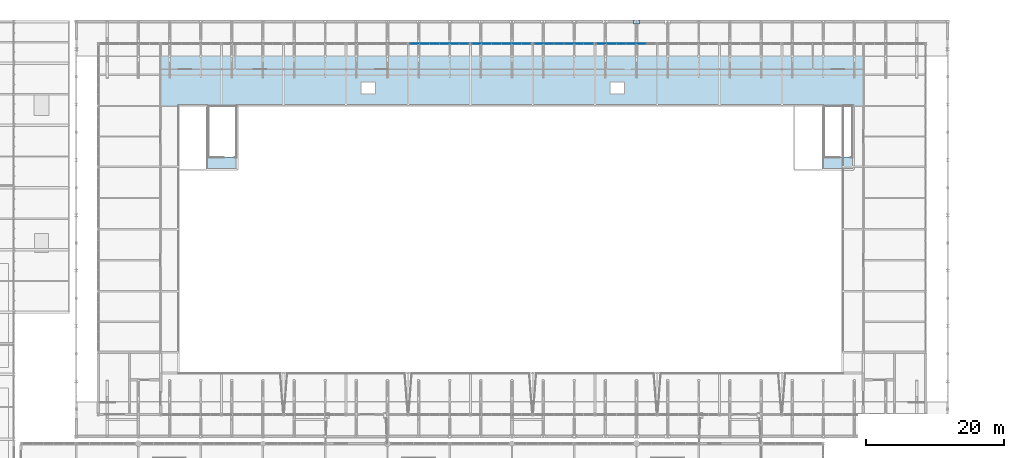
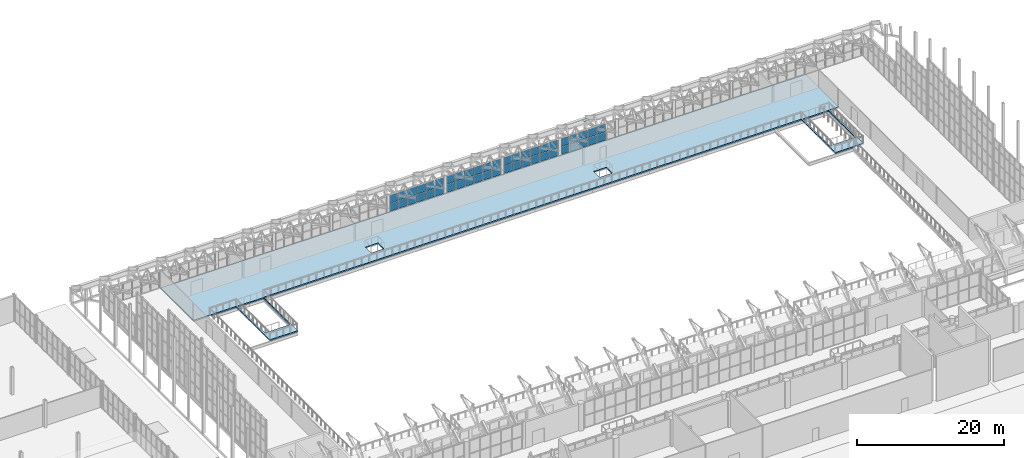
# One storey, part 100 of 134: 47 plates, 1 slab, 4 elements without a shape of their own.
"""IFC4 building model written with IfcOpenShell, lengths in metres."""

import ifcopenshell
import ifcopenshell.guid

model = None  # the IFC model being written
_history = None  # IfcOwnerHistory: only IFC2X3 demands one
_inside = {}  # id of a spatial element -> (the spatial element, [elements in it])
_under = {}  # id of a project, library or spatial element -> (it, [spatial elements below it])
_declared = {}  # id of a project -> (the project, [libraries it declares])
_typed = {}  # id of a type object -> (the type object, [elements of that type])
_made_of = {}  # id of a material, layer set ... -> (it, [elements and type objects made of it])


def new_model(schema):
    """Start an empty IFC model of exactly this schema.

    Asked for "IFC4X3", IfcOpenShell would pick the latest addendum, in which some entities
    have other attributes; the version numbers below select the first issue.
    IFC2X3 requires an IfcOwnerHistory on every rooted entity: one is made here for all.
    """
    global model, _history
    if schema == "IFC4X3":
        model = ifcopenshell.file(schema_version=(4, 3, 0, 0))
    else:
        model = ifcopenshell.file(schema=schema)
    _inside.clear()
    _under.clear()
    _declared.clear()
    _typed.clear()
    _made_of.clear()
    _history = None
    if model.schema == "IFC2X3":
        org = make("IfcOrganization", Name="unknown")
        user = make(
            "IfcPersonAndOrganization",
            ThePerson=make("IfcPerson", FamilyName="unknown"),
            TheOrganization=org,
        )
        app = make(
            "IfcApplication",
            ApplicationDeveloper=org,
            Version="unknown",
            ApplicationFullName="unknown",
            ApplicationIdentifier="unknown",
        )
        _history = make(
            "IfcOwnerHistory",
            OwningUser=user,
            OwningApplication=app,
            ChangeAction="ADDED",
            CreationDate=0,
        )
    return model


def make(cls, **values):
    """One entity of the class cls with the attributes given. An attribute that is None is left unset."""
    return model.create_entity(
        cls, **{name: value for name, value in values.items() if value is not None}
    )


def rooted(cls, **values):
    """An entity with a GlobalId (a new one), such as an element, a storey or a relation."""
    return make(cls, GlobalId=ifcopenshell.guid.new(), OwnerHistory=_history, **values)


def si_unit(unit_type, name, prefix=None):
    """IfcSIUnit, for example si_unit("LENGTHUNIT", "METRE", prefix="MILLI")."""
    return make("IfcSIUnit", UnitType=unit_type, Prefix=prefix, Name=name)


def assignment(units):
    """IfcUnitAssignment: the units of a project."""
    return None if units is None else make("IfcUnitAssignment", Units=units)


def point(xyz):
    """IfcCartesianPoint."""
    return None if xyz is None else make("IfcCartesianPoint", Coordinates=xyz)


def direction(xyz):
    """IfcDirection."""
    return None if xyz is None else make("IfcDirection", DirectionRatios=xyz)


def frame(location, z_axis=None, x_axis=None):
    """IfcAxis2Placement3D, a coordinate frame: its origin and axes. An axis left out is left unset."""
    return make(
        "IfcAxis2Placement3D",
        Location=point(location),
        Axis=direction(z_axis),
        RefDirection=direction(x_axis),
    )


def frame_2d(location, x_axis=None):
    """IfcAxis2Placement2D, a coordinate frame in the plane: its origin and x axis."""
    return make(
        "IfcAxis2Placement2D", Location=point(location), RefDirection=direction(x_axis)
    )


def origin():
    """The frame at (0, 0, 0) with its axes left unset."""
    return frame((0.0, 0.0, 0.0))


def origin_2d():
    """The frame at (0, 0) in the plane with its x axis left unset."""
    return frame_2d((0.0, 0.0))


def place(relative_to, where):
    """IfcLocalPlacement: puts the frame where relative to a parent placement (None: the world)."""
    return make(
        "IfcLocalPlacement", PlacementRelTo=relative_to, RelativePlacement=where
    )


def context(
    kind, dimensions, precision=None, world=None, true_north=None, identifier=None
):
    """IfcGeometricRepresentationContext, for example the 3D "Model" context."""
    return make(
        "IfcGeometricRepresentationContext",
        ContextIdentifier=identifier,
        ContextType=kind,
        CoordinateSpaceDimension=dimensions,
        Precision=precision,
        WorldCoordinateSystem=world,
        TrueNorth=true_north,
    )


def subcontext(parent, identifier, kind, view, scale=None):
    """IfcGeometricRepresentationSubContext, for example "Body" below "Model"."""
    return make(
        "IfcGeometricRepresentationSubContext",
        ContextIdentifier=identifier,
        ContextType=kind,
        ParentContext=parent,
        TargetScale=scale,
        TargetView=view,
    )


def project(units=None, contexts=None):
    """IfcProject with its units and contexts."""
    return rooted(
        "IfcProject",
        Name="project",
        RepresentationContexts=contexts,
        UnitsInContext=assignment(units),
    )


def spatial(cls, under=None, at=None, **own):
    """A site, building, storey or space (cls), placed at a placement, below another one or the project."""
    s = rooted(cls, ObjectPlacement=at, **own)
    if under is not None:
        _under.setdefault(under.id(), (under, []))[1].append(s)
    return s


def polyline(points):
    """IfcPolyline through the points."""
    return make("IfcPolyline", Points=[point(p) for p in points])


def profile(cls, at=None, kind="AREA", **sizes):
    """A parametric profile (cls). Its sizes go by their IFC names, for example OverallWidth=200.0."""
    return make(cls, ProfileType=kind, Position=at, **sizes)


def rectangle(**sizes):
    """IfcRectangleProfileDef."""
    return profile("IfcRectangleProfileDef", **sizes)


def outline(outer, holes=None, kind="AREA"):
    """IfcArbitraryClosedProfileDef: a profile drawn as a closed curve; with holes, ...WithVoids."""
    if holes is None:
        return make("IfcArbitraryClosedProfileDef", ProfileType=kind, OuterCurve=outer)
    return make(
        "IfcArbitraryProfileDefWithVoids",
        ProfileType=kind,
        OuterCurve=outer,
        InnerCurves=holes,
    )


def extrude(swept, where, along, depth):
    """IfcExtrudedAreaSolid: the profile swept, set in the frame where, extruded along a direction by depth."""
    return make(
        "IfcExtrudedAreaSolid",
        SweptArea=swept,
        Position=where,
        ExtrudedDirection=direction(along),
        Depth=depth,
    )


def shape(context_of_items, identifier, shape_type, items):
    """IfcShapeRepresentation: the items that make up one representation, for example the "Body"."""
    return make(
        "IfcShapeRepresentation",
        ContextOfItems=context_of_items,
        RepresentationIdentifier=identifier,
        RepresentationType=shape_type,
        Items=items,
    )


def material(Name=None, Category=None):
    """IfcMaterial."""
    return make("IfcMaterial", Name=Name, Category=Category)


def layer(
    of_material, thickness, ventilated=None, Name=None, Category=None, Priority=None
):
    """IfcMaterialLayer: one layer of a wall or slab, of a material (None: an air gap)."""
    return make(
        "IfcMaterialLayer",
        Material=of_material,
        LayerThickness=thickness,
        IsVentilated=ventilated,
        Name=Name,
        Category=Category,
        Priority=Priority,
    )


def layer_set(layers, Name=None):
    """IfcMaterialLayerSet."""
    return make("IfcMaterialLayerSet", MaterialLayers=layers, LayerSetName=Name)


def made_of(thing, what):
    """Note that an element or type object is made of a material, layer set ...; save() writes the relation."""
    if what is not None:
        _made_of.setdefault(what.id(), (what, []))[1].append(thing)
    return thing


def type_object(cls, material=None, **own):
    """A type object (cls), such as IfcWallType, which elements share."""
    return made_of(rooted(cls, **own), material)


def element(
    cls,
    number,
    at=None,
    inside=None,
    cuts=None,
    type_object=None,
    material=None,
    context=None,
    identifier="Body",
    shape_type=None,
    held_by="IfcProductDefinitionShape",
    body=None,
    shapes=None,
    **own,
):
    """One element of the class cls, such as IfcWall. Its Tag is "e" and its number.

    at: its placement. inside: the storey or other place that contains it. cuts: it is an
    opening in that element (IfcRelVoidsElement). A single representation is given by context,
    identifier, shape_type and body (its items); several are given by shapes. held_by: the class
    of the entity that holds the representations. save() writes the other relations.
    """
    e = rooted(cls, Tag="e%d" % number, ObjectPlacement=at, **own)
    if body is not None:
        shapes = [shape(context, identifier, shape_type, body)]
    if shapes is not None:
        e.Representation = make(held_by, Representations=shapes)
    if inside is not None:
        _inside.setdefault(inside.id(), (inside, []))[1].append(e)
    if cuts is not None:
        rooted(
            "IfcRelVoidsElement", RelatingBuildingElement=cuts, RelatedOpeningElement=e
        )
    if type_object is not None:
        _typed.setdefault(type_object.id(), (type_object, []))[1].append(e)
    return made_of(e, material)


def aggregate(whole, parts):
    """IfcRelAggregates: a whole, such as a stair, and the parts it consists of."""
    return rooted("IfcRelAggregates", RelatingObject=whole, RelatedObjects=parts)


def save(model, path):
    """Write the relations noted so far, then the file.

    IfcRelAggregates (storeys below a building ...), IfcRelContainedInSpatialStructure (elements
    in a storey), IfcRelDefinesByType, IfcRelAssociatesMaterial and IfcRelDeclares: one each for
    every whole, place, type object, material and project.
    """
    for whole, parts in _under.values():
        aggregate(whole, parts)
    for where, things in _inside.values():
        rooted(
            "IfcRelContainedInSpatialStructure",
            RelatedElements=things,
            RelatingStructure=where,
        )
    for kind, things in _typed.values():
        rooted("IfcRelDefinesByType", RelatedObjects=things, RelatingType=kind)
    for what, things in _made_of.values():
        rooted("IfcRelAssociatesMaterial", RelatedObjects=things, RelatingMaterial=what)
    for by, libraries in _declared.values():
        rooted("IfcRelDeclares", RelatingContext=by, RelatedDefinitions=libraries)
    model.write(path)


model = new_model("IFC4")

# Units and contexts
model_context = context("Model", 3, precision=1e-05, world=origin(), true_north=direction((0.0, 1.0)))
body_context = subcontext(model_context, "Body", "Model", "MODEL_VIEW")
ifc_project = project(units=[si_unit("LENGTHUNIT", "METRE"), si_unit("AREAUNIT", "SQUARE_METRE"), si_unit("VOLUMEUNIT", "CUBIC_METRE"), si_unit("PLANEANGLEUNIT", "RADIAN"), si_unit("MASSUNIT", "GRAM", prefix="KILO")], contexts=[model_context])

# Site, building, storey
site_placement = place(None, origin())
site = spatial("IfcSite", under=ifc_project, at=site_placement, CompositionType="ELEMENT")
building_placement = place(site_placement, origin())
building = spatial("IfcBuilding", under=site, at=building_placement, Name="Cazmaro Siding Exhibition Halls", CompositionType="ELEMENT")
storey_placement = place(building_placement, frame((0.0, 0.0, 12.0)))
storey = spatial("IfcBuildingStorey", under=building, at=storey_placement, Name="L02", CompositionType="ELEMENT", Elevation=12.0)

# Plate
ifc_material_1 = material(Name="Steel ASTM A572 Grade 50", Category="steel")
ifc_layer_1 = layer(ifc_material_1, 0.053955078125)
ifc_layer_set_1 = layer_set([ifc_layer_1], Name="Steel ASTM A572 Grade 50")
plate_type_1 = type_object("IfcPlateType", Name="CP-10", PredefinedType="SHEET", material=ifc_layer_set_1)
plate_1_placement = place(storey_placement, frame((126.0, 123.949951171875, 1.9228515625), z_axis=(0.0, 0.0, 1.0), x_axis=(1.0, 0.0, 0.0)))
element("IfcPlate", 1, at=plate_1_placement, inside=storey, type_object=plate_type_1, Name="Space frame vault springing end-cap plate CP-10 node TN-01", PredefinedType="SHEET", context=body_context, shape_type="SweptSolid", body=[
    extrude(rectangle(XDim=0.8798828125, YDim=0.56005859375, at=origin_2d()), origin(), (0.0, 0.0, 1.0), 0.053955078125),
])

# Curtain wall, plates
ifc_material_2 = material(Name="Anodized Bronze Aluminum and Solar-Control Low-E Glazing", Category="aluminium")
ifc_layer_2 = layer(ifc_material_2, 0.159912109375)
ifc_layer_set_2 = layer_set([ifc_layer_2], Name="Anodized Bronze Aluminum and Solar-Control Low-E Glazing")
curtain_wall_type = type_object("IfcCurtainWallType", Name="CWS-04", PredefinedType="USERDEFINED", material=ifc_layer_set_2)
curtain_wall_1_placement = place(storey_placement, origin())
curtain_wall_1 = element("IfcCurtainWall", 2, at=curtain_wall_1_placement, inside=storey, type_object=curtain_wall_type, Name="Clerestory Curtain Wall CWS-04 CW-023", ObjectType="CLERESTORY CURTAIN WALL", PredefinedType="USERDEFINED")
ifc_material_3 = material(Name="Solar-Control Low-E Double Insulating Glass", Category="glass")
ifc_layer_3 = layer(ifc_material_3, 0.028076171875)
ifc_layer_set_3 = layer_set([ifc_layer_3], Name="Solar-Control Low-E Double Insulating Glass")
plate_type_2 = type_object("IfcPlateType", Name="CWP-04", PredefinedType="CURTAIN_PANEL", material=ifc_layer_set_3)
plate_2_placement = place(storey_placement, frame((101.07080078125, 120.800048828125, 0.06005859375), z_axis=(0.0, 0.0, 1.0), x_axis=(-1.0, 0.0, 0.0)))
plate_2 = element("IfcPlate", 3, at=plate_2_placement, type_object=plate_type_2, Name="CWS-04 panel 1.1", PredefinedType="CURTAIN_PANEL", context=body_context, shape_type="SweptSolid", body=[
    extrude(rectangle(XDim=1.34423828125, YDim=0.028076171875, at=origin_2d()), origin(), (0.0, 0.0, 1.0), 1.31005859375),
])
plate_3_placement = place(storey_placement, frame((101.07080078125, 120.800048828125, 1.429931640625), z_axis=(0.0, 0.0, 1.0), x_axis=(-1.0, 0.0, 0.0)))
plate_3 = element("IfcPlate", 4, at=plate_3_placement, type_object=plate_type_2, Name="CWS-04 panel 1.2", PredefinedType="CURTAIN_PANEL", context=body_context, shape_type="SweptSolid", body=[
    extrude(rectangle(XDim=1.34423828125, YDim=0.028076171875, at=origin_2d()), origin(), (0.0, 0.0, 1.0), 1.31005859375),
])
plate_4_placement = place(storey_placement, frame((99.651611328125, 120.800048828125, 0.06005859375), z_axis=(0.0, 0.0, 1.0), x_axis=(-1.0, 0.0, 0.0)))
plate_4 = element("IfcPlate", 5, at=plate_4_placement, type_object=plate_type_2, Name="CWS-04 panel 2.1", PredefinedType="CURTAIN_PANEL", context=body_context, shape_type="SweptSolid", body=[
    extrude(rectangle(XDim=1.374267578125, YDim=0.028076171875, at=origin_2d()), origin(), (0.0, 0.0, 1.0), 1.31005859375),
])
plate_5_placement = place(storey_placement, frame((99.651611328125, 120.800048828125, 1.429931640625), z_axis=(0.0, 0.0, 1.0), x_axis=(-1.0, 0.0, 0.0)))
plate_5 = element("IfcPlate", 6, at=plate_5_placement, type_object=plate_type_2, Name="CWS-04 panel 2.2", PredefinedType="CURTAIN_PANEL", context=body_context, shape_type="SweptSolid", body=[
    extrude(rectangle(XDim=1.374267578125, YDim=0.028076171875, at=origin_2d()), origin(), (0.0, 0.0, 1.0), 1.31005859375),
])
plate_6_placement = place(storey_placement, frame((98.21728515625, 120.800048828125, 0.06005859375), z_axis=(0.0, 0.0, 1.0), x_axis=(-1.0, 0.0, 0.0)))
plate_6 = element("IfcPlate", 7, at=plate_6_placement, type_object=plate_type_2, Name="CWS-04 panel 3.1", PredefinedType="CURTAIN_PANEL", context=body_context, shape_type="SweptSolid", body=[
    extrude(rectangle(XDim=1.374267578125, YDim=0.028076171875, at=origin_2d()), origin(), (0.0, 0.0, 1.0), 1.31005859375),
])
plate_7_placement = place(storey_placement, frame((98.21728515625, 120.800048828125, 1.429931640625), z_axis=(0.0, 0.0, 1.0), x_axis=(-1.0, 0.0, 0.0)))
plate_7 = element("IfcPlate", 8, at=plate_7_placement, type_object=plate_type_2, Name="CWS-04 panel 3.2", PredefinedType="CURTAIN_PANEL", context=body_context, shape_type="SweptSolid", body=[
    extrude(rectangle(XDim=1.374267578125, YDim=0.028076171875, at=origin_2d()), origin(), (0.0, 0.0, 1.0), 1.31005859375),
])
plate_8_placement = place(storey_placement, frame((96.78271484375, 120.800048828125, 0.06005859375), z_axis=(0.0, 0.0, 1.0), x_axis=(-1.0, 0.0, 0.0)))
plate_8 = element("IfcPlate", 9, at=plate_8_placement, type_object=plate_type_2, Name="CWS-04 panel 4.1", PredefinedType="CURTAIN_PANEL", context=body_context, shape_type="SweptSolid", body=[
    extrude(rectangle(XDim=1.374267578125, YDim=0.028076171875, at=origin_2d()), origin(), (0.0, 0.0, 1.0), 1.31005859375),
])
plate_9_placement = place(storey_placement, frame((96.78271484375, 120.800048828125, 1.429931640625), z_axis=(0.0, 0.0, 1.0), x_axis=(-1.0, 0.0, 0.0)))
plate_9 = element("IfcPlate", 10, at=plate_9_placement, type_object=plate_type_2, Name="CWS-04 panel 4.2", PredefinedType="CURTAIN_PANEL", context=body_context, shape_type="SweptSolid", body=[
    extrude(rectangle(XDim=1.374267578125, YDim=0.028076171875, at=origin_2d()), origin(), (0.0, 0.0, 1.0), 1.31005859375),
])
plate_10_placement = place(storey_placement, frame((95.348388671875, 120.800048828125, 0.06005859375), z_axis=(0.0, 0.0, 1.0), x_axis=(-1.0, 0.0, 0.0)))
plate_10 = element("IfcPlate", 11, at=plate_10_placement, type_object=plate_type_2, Name="CWS-04 panel 5.1", PredefinedType="CURTAIN_PANEL", context=body_context, shape_type="SweptSolid", body=[
    extrude(rectangle(XDim=1.374267578125, YDim=0.028076171875, at=origin_2d()), origin(), (0.0, 0.0, 1.0), 1.31005859375),
])
plate_11_placement = place(storey_placement, frame((95.348388671875, 120.800048828125, 1.429931640625), z_axis=(0.0, 0.0, 1.0), x_axis=(-1.0, 0.0, 0.0)))
plate_11 = element("IfcPlate", 12, at=plate_11_placement, type_object=plate_type_2, Name="CWS-04 panel 5.2", PredefinedType="CURTAIN_PANEL", context=body_context, shape_type="SweptSolid", body=[
    extrude(rectangle(XDim=1.374267578125, YDim=0.028076171875, at=origin_2d()), origin(), (0.0, 0.0, 1.0), 1.31005859375),
])
plate_12_placement = place(storey_placement, frame((93.92919921875, 120.800048828125, 0.06005859375), z_axis=(0.0, 0.0, 1.0), x_axis=(-1.0, 0.0, 0.0)))
plate_12 = element("IfcPlate", 13, at=plate_12_placement, type_object=plate_type_2, Name="CWS-04 panel 6.1", PredefinedType="CURTAIN_PANEL", context=body_context, shape_type="SweptSolid", body=[
    extrude(rectangle(XDim=1.34423828125, YDim=0.028076171875, at=origin_2d()), origin(), (0.0, 0.0, 1.0), 1.31005859375),
])
plate_13_placement = place(storey_placement, frame((93.92919921875, 120.800048828125, 1.429931640625), z_axis=(0.0, 0.0, 1.0), x_axis=(-1.0, 0.0, 0.0)))
plate_13 = element("IfcPlate", 14, at=plate_13_placement, type_object=plate_type_2, Name="CWS-04 panel 6.2", PredefinedType="CURTAIN_PANEL", context=body_context, shape_type="SweptSolid", body=[
    extrude(rectangle(XDim=1.34423828125, YDim=0.028076171875, at=origin_2d()), origin(), (0.0, 0.0, 1.0), 1.31005859375),
])
aggregate(curtain_wall_1, [plate_2, plate_3, plate_4, plate_5, plate_6, plate_7, plate_8, plate_9, plate_10, plate_11, plate_12, plate_13])

curtain_wall_2_placement = place(storey_placement, origin())
curtain_wall_2 = element("IfcCurtainWall", 15, at=curtain_wall_2_placement, inside=storey, type_object=curtain_wall_type, Name="Clerestory Curtain Wall CWS-04 CW-026", ObjectType="CLERESTORY CURTAIN WALL", PredefinedType="USERDEFINED")
plate_14_placement = place(storey_placement, frame((110.07080078125, 120.800048828125, 0.06005859375), z_axis=(0.0, 0.0, 1.0), x_axis=(-1.0, 0.0, 0.0)))
plate_14 = element("IfcPlate", 16, at=plate_14_placement, type_object=plate_type_2, Name="CWS-04 panel 1.1", PredefinedType="CURTAIN_PANEL", context=body_context, shape_type="SweptSolid", body=[
    extrude(rectangle(XDim=1.34423828125, YDim=0.028076171875, at=origin_2d()), origin(), (0.0, 0.0, 1.0), 1.31005859375),
])
plate_15_placement = place(storey_placement, frame((110.07080078125, 120.800048828125, 1.429931640625), z_axis=(0.0, 0.0, 1.0), x_axis=(-1.0, 0.0, 0.0)))
plate_15 = element("IfcPlate", 17, at=plate_15_placement, type_object=plate_type_2, Name="CWS-04 panel 1.2", PredefinedType="CURTAIN_PANEL", context=body_context, shape_type="SweptSolid", body=[
    extrude(rectangle(XDim=1.34423828125, YDim=0.028076171875, at=origin_2d()), origin(), (0.0, 0.0, 1.0), 1.31005859375),
])
plate_16_placement = place(storey_placement, frame((108.651611328125, 120.800048828125, 0.06005859375), z_axis=(0.0, 0.0, 1.0), x_axis=(-1.0, 0.0, 0.0)))
plate_16 = element("IfcPlate", 18, at=plate_16_placement, type_object=plate_type_2, Name="CWS-04 panel 2.1", PredefinedType="CURTAIN_PANEL", context=body_context, shape_type="SweptSolid", body=[
    extrude(rectangle(XDim=1.374267578125, YDim=0.028076171875, at=origin_2d()), origin(), (0.0, 0.0, 1.0), 1.31005859375),
])
plate_17_placement = place(storey_placement, frame((108.651611328125, 120.800048828125, 1.429931640625), z_axis=(0.0, 0.0, 1.0), x_axis=(-1.0, 0.0, 0.0)))
plate_17 = element("IfcPlate", 19, at=plate_17_placement, type_object=plate_type_2, Name="CWS-04 panel 2.2", PredefinedType="CURTAIN_PANEL", context=body_context, shape_type="SweptSolid", body=[
    extrude(rectangle(XDim=1.374267578125, YDim=0.028076171875, at=origin_2d()), origin(), (0.0, 0.0, 1.0), 1.31005859375),
])
plate_18_placement = place(storey_placement, frame((107.21728515625, 120.800048828125, 0.06005859375), z_axis=(0.0, 0.0, 1.0), x_axis=(-1.0, 0.0, 0.0)))
plate_18 = element("IfcPlate", 20, at=plate_18_placement, type_object=plate_type_2, Name="CWS-04 panel 3.1", PredefinedType="CURTAIN_PANEL", context=body_context, shape_type="SweptSolid", body=[
    extrude(rectangle(XDim=1.374267578125, YDim=0.028076171875, at=origin_2d()), origin(), (0.0, 0.0, 1.0), 1.31005859375),
])
plate_19_placement = place(storey_placement, frame((107.21728515625, 120.800048828125, 1.429931640625), z_axis=(0.0, 0.0, 1.0), x_axis=(-1.0, 0.0, 0.0)))
plate_19 = element("IfcPlate", 21, at=plate_19_placement, type_object=plate_type_2, Name="CWS-04 panel 3.2", PredefinedType="CURTAIN_PANEL", context=body_context, shape_type="SweptSolid", body=[
    extrude(rectangle(XDim=1.374267578125, YDim=0.028076171875, at=origin_2d()), origin(), (0.0, 0.0, 1.0), 1.31005859375),
])
plate_20_placement = place(storey_placement, frame((105.78271484375, 120.800048828125, 0.06005859375), z_axis=(0.0, 0.0, 1.0), x_axis=(-1.0, 0.0, 0.0)))
plate_20 = element("IfcPlate", 22, at=plate_20_placement, type_object=plate_type_2, Name="CWS-04 panel 4.1", PredefinedType="CURTAIN_PANEL", context=body_context, shape_type="SweptSolid", body=[
    extrude(rectangle(XDim=1.374267578125, YDim=0.028076171875, at=origin_2d()), origin(), (0.0, 0.0, 1.0), 1.31005859375),
])
plate_21_placement = place(storey_placement, frame((105.78271484375, 120.800048828125, 1.429931640625), z_axis=(0.0, 0.0, 1.0), x_axis=(-1.0, 0.0, 0.0)))
plate_21 = element("IfcPlate", 23, at=plate_21_placement, type_object=plate_type_2, Name="CWS-04 panel 4.2", PredefinedType="CURTAIN_PANEL", context=body_context, shape_type="SweptSolid", body=[
    extrude(rectangle(XDim=1.374267578125, YDim=0.028076171875, at=origin_2d()), origin(), (0.0, 0.0, 1.0), 1.31005859375),
])
plate_22_placement = place(storey_placement, frame((104.348388671875, 120.800048828125, 0.06005859375), z_axis=(0.0, 0.0, 1.0), x_axis=(-1.0, 0.0, 0.0)))
plate_22 = element("IfcPlate", 24, at=plate_22_placement, type_object=plate_type_2, Name="CWS-04 panel 5.1", PredefinedType="CURTAIN_PANEL", context=body_context, shape_type="SweptSolid", body=[
    extrude(rectangle(XDim=1.374267578125, YDim=0.028076171875, at=origin_2d()), origin(), (0.0, 0.0, 1.0), 1.31005859375),
])
plate_23_placement = place(storey_placement, frame((104.348388671875, 120.800048828125, 1.429931640625), z_axis=(0.0, 0.0, 1.0), x_axis=(-1.0, 0.0, 0.0)))
plate_23 = element("IfcPlate", 25, at=plate_23_placement, type_object=plate_type_2, Name="CWS-04 panel 5.2", PredefinedType="CURTAIN_PANEL", context=body_context, shape_type="SweptSolid", body=[
    extrude(rectangle(XDim=1.374267578125, YDim=0.028076171875, at=origin_2d()), origin(), (0.0, 0.0, 1.0), 1.31005859375),
])
plate_24_placement = place(storey_placement, frame((102.92919921875, 120.800048828125, 0.06005859375), z_axis=(0.0, 0.0, 1.0), x_axis=(-1.0, 0.0, 0.0)))
plate_24 = element("IfcPlate", 26, at=plate_24_placement, type_object=plate_type_2, Name="CWS-04 panel 6.1", PredefinedType="CURTAIN_PANEL", context=body_context, shape_type="SweptSolid", body=[
    extrude(rectangle(XDim=1.34423828125, YDim=0.028076171875, at=origin_2d()), origin(), (0.0, 0.0, 1.0), 1.31005859375),
])
plate_25_placement = place(storey_placement, frame((102.92919921875, 120.800048828125, 1.429931640625), z_axis=(0.0, 0.0, 1.0), x_axis=(-1.0, 0.0, 0.0)))
plate_25 = element("IfcPlate", 27, at=plate_25_placement, type_object=plate_type_2, Name="CWS-04 panel 6.2", PredefinedType="CURTAIN_PANEL", context=body_context, shape_type="SweptSolid", body=[
    extrude(rectangle(XDim=1.34423828125, YDim=0.028076171875, at=origin_2d()), origin(), (0.0, 0.0, 1.0), 1.31005859375),
])
aggregate(curtain_wall_2, [plate_14, plate_15, plate_16, plate_17, plate_18, plate_19, plate_20, plate_21, plate_22, plate_23, plate_24, plate_25])

curtain_wall_3_placement = place(storey_placement, origin())
curtain_wall_3 = element("IfcCurtainWall", 28, at=curtain_wall_3_placement, inside=storey, type_object=curtain_wall_type, Name="Clerestory Curtain Wall CWS-04 CW-031", ObjectType="CLERESTORY CURTAIN WALL", PredefinedType="USERDEFINED")
plate_26_placement = place(storey_placement, frame((119.07080078125, 120.800048828125, 0.06005859375), z_axis=(0.0, 0.0, 1.0), x_axis=(-1.0, 0.0, 0.0)))
plate_26 = element("IfcPlate", 29, at=plate_26_placement, type_object=plate_type_2, Name="CWS-04 panel 1.1", PredefinedType="CURTAIN_PANEL", context=body_context, shape_type="SweptSolid", body=[
    extrude(rectangle(XDim=1.34423828125, YDim=0.028076171875, at=origin_2d()), origin(), (0.0, 0.0, 1.0), 1.31005859375),
])
plate_27_placement = place(storey_placement, frame((119.07080078125, 120.800048828125, 1.429931640625), z_axis=(0.0, 0.0, 1.0), x_axis=(-1.0, 0.0, 0.0)))
plate_27 = element("IfcPlate", 30, at=plate_27_placement, type_object=plate_type_2, Name="CWS-04 panel 1.2", PredefinedType="CURTAIN_PANEL", context=body_context, shape_type="SweptSolid", body=[
    extrude(rectangle(XDim=1.34423828125, YDim=0.028076171875, at=origin_2d()), origin(), (0.0, 0.0, 1.0), 1.31005859375),
])
plate_28_placement = place(storey_placement, frame((117.651611328125, 120.800048828125, 0.06005859375), z_axis=(0.0, 0.0, 1.0), x_axis=(-1.0, 0.0, 0.0)))
plate_28 = element("IfcPlate", 31, at=plate_28_placement, type_object=plate_type_2, Name="CWS-04 panel 2.1", PredefinedType="CURTAIN_PANEL", context=body_context, shape_type="SweptSolid", body=[
    extrude(rectangle(XDim=1.374267578125, YDim=0.028076171875, at=origin_2d()), origin(), (0.0, 0.0, 1.0), 1.31005859375),
])
plate_29_placement = place(storey_placement, frame((117.651611328125, 120.800048828125, 1.429931640625), z_axis=(0.0, 0.0, 1.0), x_axis=(-1.0, 0.0, 0.0)))
plate_29 = element("IfcPlate", 32, at=plate_29_placement, type_object=plate_type_2, Name="CWS-04 panel 2.2", PredefinedType="CURTAIN_PANEL", context=body_context, shape_type="SweptSolid", body=[
    extrude(rectangle(XDim=1.374267578125, YDim=0.028076171875, at=origin_2d()), origin(), (0.0, 0.0, 1.0), 1.31005859375),
])
plate_30_placement = place(storey_placement, frame((116.21728515625, 120.800048828125, 0.06005859375), z_axis=(0.0, 0.0, 1.0), x_axis=(-1.0, 0.0, 0.0)))
plate_30 = element("IfcPlate", 33, at=plate_30_placement, type_object=plate_type_2, Name="CWS-04 panel 3.1", PredefinedType="CURTAIN_PANEL", context=body_context, shape_type="SweptSolid", body=[
    extrude(rectangle(XDim=1.374267578125, YDim=0.028076171875, at=origin_2d()), origin(), (0.0, 0.0, 1.0), 1.31005859375),
])
plate_31_placement = place(storey_placement, frame((116.21728515625, 120.800048828125, 1.429931640625), z_axis=(0.0, 0.0, 1.0), x_axis=(-1.0, 0.0, 0.0)))
plate_31 = element("IfcPlate", 34, at=plate_31_placement, type_object=plate_type_2, Name="CWS-04 panel 3.2", PredefinedType="CURTAIN_PANEL", context=body_context, shape_type="SweptSolid", body=[
    extrude(rectangle(XDim=1.374267578125, YDim=0.028076171875, at=origin_2d()), origin(), (0.0, 0.0, 1.0), 1.31005859375),
])
plate_32_placement = place(storey_placement, frame((114.78271484375, 120.800048828125, 0.06005859375), z_axis=(0.0, 0.0, 1.0), x_axis=(-1.0, 0.0, 0.0)))
plate_32 = element("IfcPlate", 35, at=plate_32_placement, type_object=plate_type_2, Name="CWS-04 panel 4.1", PredefinedType="CURTAIN_PANEL", context=body_context, shape_type="SweptSolid", body=[
    extrude(rectangle(XDim=1.374267578125, YDim=0.028076171875, at=origin_2d()), origin(), (0.0, 0.0, 1.0), 1.31005859375),
])
plate_33_placement = place(storey_placement, frame((114.78271484375, 120.800048828125, 1.429931640625), z_axis=(0.0, 0.0, 1.0), x_axis=(-1.0, 0.0, 0.0)))
plate_33 = element("IfcPlate", 36, at=plate_33_placement, type_object=plate_type_2, Name="CWS-04 panel 4.2", PredefinedType="CURTAIN_PANEL", context=body_context, shape_type="SweptSolid", body=[
    extrude(rectangle(XDim=1.374267578125, YDim=0.028076171875, at=origin_2d()), origin(), (0.0, 0.0, 1.0), 1.31005859375),
])
plate_34_placement = place(storey_placement, frame((113.348388671875, 120.800048828125, 0.06005859375), z_axis=(0.0, 0.0, 1.0), x_axis=(-1.0, 0.0, 0.0)))
plate_34 = element("IfcPlate", 37, at=plate_34_placement, type_object=plate_type_2, Name="CWS-04 panel 5.1", PredefinedType="CURTAIN_PANEL", context=body_context, shape_type="SweptSolid", body=[
    extrude(rectangle(XDim=1.374267578125, YDim=0.028076171875, at=origin_2d()), origin(), (0.0, 0.0, 1.0), 1.31005859375),
])
plate_35_placement = place(storey_placement, frame((113.348388671875, 120.800048828125, 1.429931640625), z_axis=(0.0, 0.0, 1.0), x_axis=(-1.0, 0.0, 0.0)))
plate_35 = element("IfcPlate", 38, at=plate_35_placement, type_object=plate_type_2, Name="CWS-04 panel 5.2", PredefinedType="CURTAIN_PANEL", context=body_context, shape_type="SweptSolid", body=[
    extrude(rectangle(XDim=1.374267578125, YDim=0.028076171875, at=origin_2d()), origin(), (0.0, 0.0, 1.0), 1.31005859375),
])
plate_36_placement = place(storey_placement, frame((111.92919921875, 120.800048828125, 0.06005859375), z_axis=(0.0, 0.0, 1.0), x_axis=(-1.0, 0.0, 0.0)))
plate_36 = element("IfcPlate", 39, at=plate_36_placement, type_object=plate_type_2, Name="CWS-04 panel 6.1", PredefinedType="CURTAIN_PANEL", context=body_context, shape_type="SweptSolid", body=[
    extrude(rectangle(XDim=1.34423828125, YDim=0.028076171875, at=origin_2d()), origin(), (0.0, 0.0, 1.0), 1.31005859375),
])
plate_37_placement = place(storey_placement, frame((111.92919921875, 120.800048828125, 1.429931640625), z_axis=(0.0, 0.0, 1.0), x_axis=(-1.0, 0.0, 0.0)))
plate_37 = element("IfcPlate", 40, at=plate_37_placement, type_object=plate_type_2, Name="CWS-04 panel 6.2", PredefinedType="CURTAIN_PANEL", context=body_context, shape_type="SweptSolid", body=[
    extrude(rectangle(XDim=1.34423828125, YDim=0.028076171875, at=origin_2d()), origin(), (0.0, 0.0, 1.0), 1.31005859375),
])
aggregate(curtain_wall_3, [plate_26, plate_27, plate_28, plate_29, plate_30, plate_31, plate_32, plate_33, plate_34, plate_35, plate_36, plate_37])

curtain_wall_4_placement = place(storey_placement, origin())
curtain_wall_4 = element("IfcCurtainWall", 41, at=curtain_wall_4_placement, inside=storey, type_object=curtain_wall_type, Name="Clerestory Curtain Wall CWS-04 CW-034", ObjectType="CLERESTORY CURTAIN WALL", PredefinedType="USERDEFINED")
plate_38_placement = place(storey_placement, frame((126.651611328125, 120.800048828125, 0.06005859375), z_axis=(0.0, 0.0, 1.0), x_axis=(-1.0, 0.0, 0.0)))
plate_38 = element("IfcPlate", 42, at=plate_38_placement, type_object=plate_type_2, Name="CWS-04 panel 2.1", PredefinedType="CURTAIN_PANEL", context=body_context, shape_type="SweptSolid", body=[
    extrude(rectangle(XDim=1.374267578125, YDim=0.028076171875, at=origin_2d()), origin(), (0.0, 0.0, 1.0), 1.31005859375),
])
plate_39_placement = place(storey_placement, frame((126.651611328125, 120.800048828125, 1.429931640625), z_axis=(0.0, 0.0, 1.0), x_axis=(-1.0, 0.0, 0.0)))
plate_39 = element("IfcPlate", 43, at=plate_39_placement, type_object=plate_type_2, Name="CWS-04 panel 2.2", PredefinedType="CURTAIN_PANEL", context=body_context, shape_type="SweptSolid", body=[
    extrude(rectangle(XDim=1.374267578125, YDim=0.028076171875, at=origin_2d()), origin(), (0.0, 0.0, 1.0), 1.31005859375),
])
plate_40_placement = place(storey_placement, frame((125.21728515625, 120.800048828125, 0.06005859375), z_axis=(0.0, 0.0, 1.0), x_axis=(-1.0, 0.0, 0.0)))
plate_40 = element("IfcPlate", 44, at=plate_40_placement, type_object=plate_type_2, Name="CWS-04 panel 3.1", PredefinedType="CURTAIN_PANEL", context=body_context, shape_type="SweptSolid", body=[
    extrude(rectangle(XDim=1.374267578125, YDim=0.028076171875, at=origin_2d()), origin(), (0.0, 0.0, 1.0), 1.31005859375),
])
plate_41_placement = place(storey_placement, frame((125.21728515625, 120.800048828125, 1.429931640625), z_axis=(0.0, 0.0, 1.0), x_axis=(-1.0, 0.0, 0.0)))
plate_41 = element("IfcPlate", 45, at=plate_41_placement, type_object=plate_type_2, Name="CWS-04 panel 3.2", PredefinedType="CURTAIN_PANEL", context=body_context, shape_type="SweptSolid", body=[
    extrude(rectangle(XDim=1.374267578125, YDim=0.028076171875, at=origin_2d()), origin(), (0.0, 0.0, 1.0), 1.31005859375),
])
plate_42_placement = place(storey_placement, frame((123.78271484375, 120.800048828125, 0.06005859375), z_axis=(0.0, 0.0, 1.0), x_axis=(-1.0, 0.0, 0.0)))
plate_42 = element("IfcPlate", 46, at=plate_42_placement, type_object=plate_type_2, Name="CWS-04 panel 4.1", PredefinedType="CURTAIN_PANEL", context=body_context, shape_type="SweptSolid", body=[
    extrude(rectangle(XDim=1.374267578125, YDim=0.028076171875, at=origin_2d()), origin(), (0.0, 0.0, 1.0), 1.31005859375),
])
plate_43_placement = place(storey_placement, frame((123.78271484375, 120.800048828125, 1.429931640625), z_axis=(0.0, 0.0, 1.0), x_axis=(-1.0, 0.0, 0.0)))
plate_43 = element("IfcPlate", 47, at=plate_43_placement, type_object=plate_type_2, Name="CWS-04 panel 4.2", PredefinedType="CURTAIN_PANEL", context=body_context, shape_type="SweptSolid", body=[
    extrude(rectangle(XDim=1.374267578125, YDim=0.028076171875, at=origin_2d()), origin(), (0.0, 0.0, 1.0), 1.31005859375),
])
plate_44_placement = place(storey_placement, frame((122.348388671875, 120.800048828125, 0.06005859375), z_axis=(0.0, 0.0, 1.0), x_axis=(-1.0, 0.0, 0.0)))
plate_44 = element("IfcPlate", 48, at=plate_44_placement, type_object=plate_type_2, Name="CWS-04 panel 5.1", PredefinedType="CURTAIN_PANEL", context=body_context, shape_type="SweptSolid", body=[
    extrude(rectangle(XDim=1.374267578125, YDim=0.028076171875, at=origin_2d()), origin(), (0.0, 0.0, 1.0), 1.31005859375),
])
plate_45_placement = place(storey_placement, frame((122.348388671875, 120.800048828125, 1.429931640625), z_axis=(0.0, 0.0, 1.0), x_axis=(-1.0, 0.0, 0.0)))
plate_45 = element("IfcPlate", 49, at=plate_45_placement, type_object=plate_type_2, Name="CWS-04 panel 5.2", PredefinedType="CURTAIN_PANEL", context=body_context, shape_type="SweptSolid", body=[
    extrude(rectangle(XDim=1.374267578125, YDim=0.028076171875, at=origin_2d()), origin(), (0.0, 0.0, 1.0), 1.31005859375),
])
plate_46_placement = place(storey_placement, frame((120.92919921875, 120.800048828125, 0.06005859375), z_axis=(0.0, 0.0, 1.0), x_axis=(-1.0, 0.0, 0.0)))
plate_46 = element("IfcPlate", 50, at=plate_46_placement, type_object=plate_type_2, Name="CWS-04 panel 6.1", PredefinedType="CURTAIN_PANEL", context=body_context, shape_type="SweptSolid", body=[
    extrude(rectangle(XDim=1.34423828125, YDim=0.028076171875, at=origin_2d()), origin(), (0.0, 0.0, 1.0), 1.31005859375),
])
plate_47_placement = place(storey_placement, frame((120.92919921875, 120.800048828125, 1.429931640625), z_axis=(0.0, 0.0, 1.0), x_axis=(-1.0, 0.0, 0.0)))
plate_47 = element("IfcPlate", 51, at=plate_47_placement, type_object=plate_type_2, Name="CWS-04 panel 6.2", PredefinedType="CURTAIN_PANEL", context=body_context, shape_type="SweptSolid", body=[
    extrude(rectangle(XDim=1.34423828125, YDim=0.028076171875, at=origin_2d()), origin(), (0.0, 0.0, 1.0), 1.31005859375),
])
aggregate(curtain_wall_4, [plate_38, plate_39, plate_40, plate_41, plate_42, plate_43, plate_44, plate_45, plate_46, plate_47])

# Slab
ifc_material_4 = material(Name="Concrete f'c 35 MPa", Category="concrete")
ifc_layer_4 = layer(ifc_material_4, 0.219970703125)
ifc_layer_set_4 = layer_set([ifc_layer_4], Name="Concrete f'c 35 MPa")
slab_type = type_object("IfcSlabType", Name="FS-01", PredefinedType="FLOOR", material=ifc_layer_set_4)
slab_placement = place(storey_placement, frame((0.0, 0.0, -0.219970703125)))
element("IfcSlab", 52, at=slab_placement, inside=storey, type_object=slab_type, Name="Hall A North VIP Gallery L02 FS-01 SLB-0025", PredefinedType="FLOOR", context=body_context, shape_type="SweptSolid", body=[
    extrude(outline(polyline([(57.199951171875, 111.800048828125), (63.89990234375, 111.800048828125), (63.89990234375, 102.60009765625), (68.300048828125, 102.60009765625), (68.300048828125, 111.800048828125), (152.9599609375, 111.800048828125), (152.9599609375, 102.60009765625), (157.39990234375, 102.60009765625), (157.39990234375, 111.800048828125), (158.800048828125, 111.800048828125), (158.800048828125, 120.800048828125), (57.199951171875, 120.800048828125), (57.199951171875, 111.800048828125)]), holes=[polyline([(64.14990234375, 104.39990234375), (68.14990234375, 104.39990234375), (68.14990234375, 111.75), (64.14990234375, 111.75), (64.14990234375, 104.39990234375)]), polyline([(153.14990234375, 104.39990234375), (157.199951171875, 104.39990234375), (157.199951171875, 111.75), (153.14990234375, 111.75), (153.14990234375, 104.39990234375)]), polyline([(86.199951171875, 113.60009765625), (88.199951171875, 113.60009765625), (88.199951171875, 115.199951171875), (86.199951171875, 115.199951171875), (86.199951171875, 113.60009765625)]), polyline([(122.199951171875, 113.60009765625), (124.199951171875, 113.60009765625), (124.199951171875, 115.199951171875), (122.199951171875, 115.199951171875), (122.199951171875, 113.60009765625)])]), origin(), (0.0, 0.0, 1.0), 0.219970703125),
])

save(model, "model.ifc")
